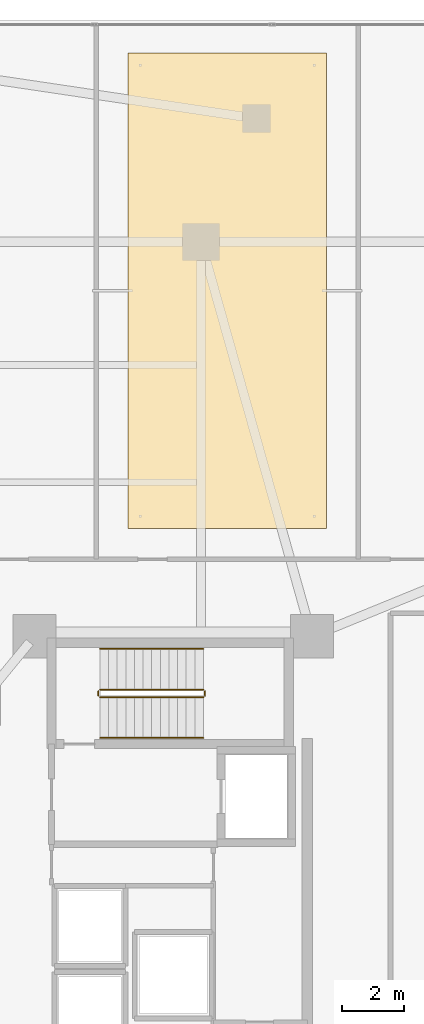
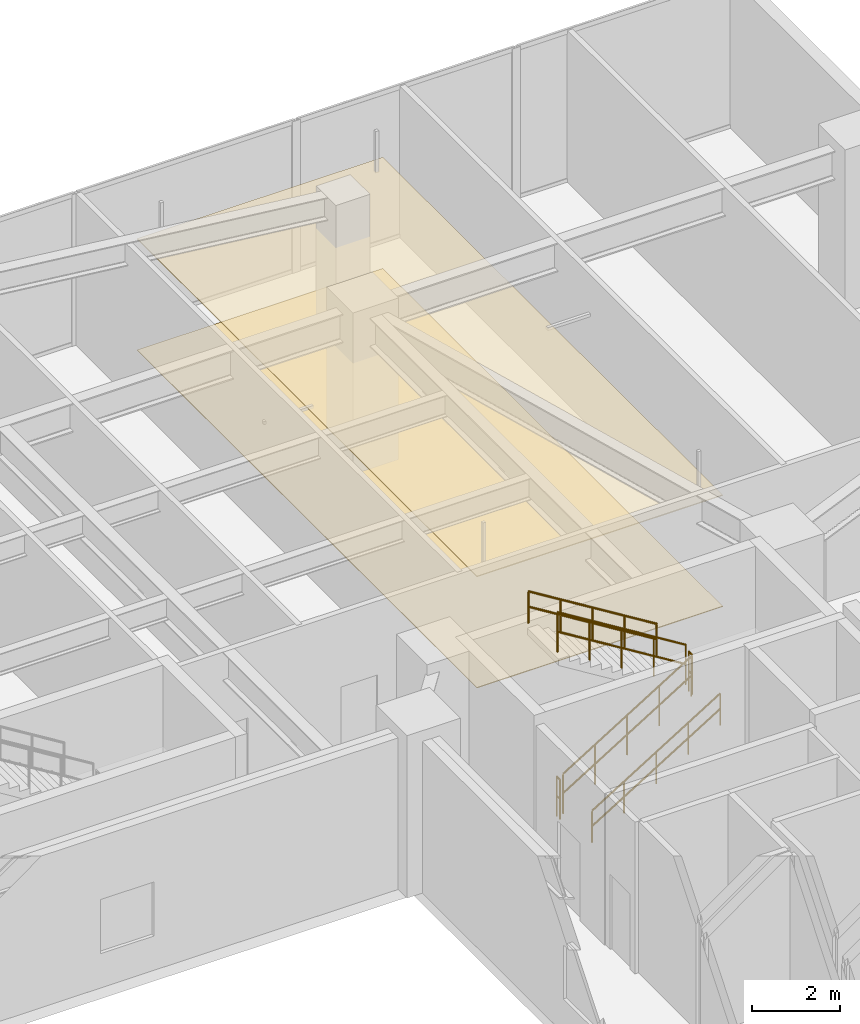
# One storey, part 22 of 22: 6 railings, 2 coverings.
"""IFC4 building model written with IfcOpenShell, lengths in metres."""

from ifc_helpers import new_model, si_unit, direction, frame, origin, origin_2d, place, context, subcontext, project, spatial, polyline, circle, outline, extrude, material, layer, layer_set, type_object, element, save


model = new_model("IFC4")

# Units and contexts
model_context = context("Model", 3, precision=1e-05, world=origin(), true_north=direction((0.0, 1.0)))
body_context = subcontext(model_context, "Body", "Model", "MODEL_VIEW")
ifc_project = project(units=[si_unit("LENGTHUNIT", "METRE"), si_unit("AREAUNIT", "SQUARE_METRE"), si_unit("VOLUMEUNIT", "CUBIC_METRE"), si_unit("PLANEANGLEUNIT", "RADIAN"), si_unit("MASSUNIT", "GRAM", prefix="KILO")], contexts=[model_context])

# Site, building, storey
site_placement = place(None, origin())
site = spatial("IfcSite", under=ifc_project, at=site_placement, CompositionType="ELEMENT")
building_placement = place(site_placement, origin())
building = spatial("IfcBuilding", under=site, at=building_placement, Name="Tarnavaz Court Tower", CompositionType="ELEMENT")
storey_placement = place(building_placement, frame((0.0, 0.0, 14.39990234375)))
storey = spatial("IfcBuildingStorey", under=building, at=storey_placement, Name="L03", CompositionType="ELEMENT", Elevation=14.39990234375)

# Coverings
ifc_material_1 = material(Name="Perforated Gypsum Acoustic Ceiling Tile", Category="masonry")
ifc_layer_1 = layer(ifc_material_1, 0.02490234375)
ifc_layer_set_1 = layer_set([ifc_layer_1], Name="Perforated Gypsum Acoustic Ceiling Tile")
covering_type_1 = type_object("IfcCoveringType", Name="CV-CEIL-AC", PredefinedType="CEILING", material=ifc_layer_set_1)
covering_1_placement = place(storey_placement, frame((0.0, 0.0, 3.080078125)))
element("IfcCovering", 1, at=covering_1_placement, inside=storey, type_object=covering_type_1, Name="L03 L03 Staff Administration Office Suspended Acoustic Ceiling", PredefinedType="CEILING", context=body_context, shape_type="SweptSolid", body=[
    extrude(outline(polyline([(12.6298828125, 13.5), (19.070068359375, 13.5), (19.070068359375, 28.929931640625), (12.6298828125, 28.929931640625), (12.6298828125, 13.5)])), origin(), (0.0, 0.0, 1.0), 0.02490234375),
])
ifc_material_2 = material(Name="Glazed Khorasan Porcelain Floor Tile", Category="masonry")
ifc_layer_2 = layer(ifc_material_2, 0.02001953125)
ifc_layer_set_2 = layer_set([ifc_layer_2], Name="Glazed Khorasan Porcelain Floor Tile")
covering_type_2 = type_object("IfcCoveringType", Name="CV-FLR-PORC", PredefinedType="FLOORING", material=ifc_layer_set_2)
covering_2_placement = place(storey_placement, origin())
element("IfcCovering", 2, at=covering_2_placement, inside=storey, type_object=covering_type_2, Name="L03 L03 Staff Administration Office Porcelain Floor Finish", PredefinedType="FLOORING", context=body_context, shape_type="SweptSolid", body=[
    extrude(outline(polyline([(12.6298828125, 13.5), (19.070068359375, 13.5), (19.070068359375, 28.929931640625), (12.6298828125, 28.929931640625), (12.6298828125, 13.5)])), origin(), (0.0, 0.0, 1.0), 0.02001953125),
])

# Railings
ifc_material_3 = material(Name="Brushed Stainless Steel", Category="steel")
railing_type_1 = type_object("IfcRailingType", Name="RL-HANDRAIL-900", PredefinedType="HANDRAIL", material=ifc_material_3)
railing_1_placement = place(storey_placement, frame((11.719970703125, 6.699951171875, 0.173095703125)))
element("IfcRailing", 3, at=railing_1_placement, inside=storey, type_object=railing_type_1, Name="L03 ST-E1 stair handrail 1", PredefinedType="HANDRAIL", context=body_context, shape_type="SweptSolid", body=[
    extrude(circle(Radius=0.02392578125, at=origin_2d()), frame((0.0, 0.0, 0.8759765625), z_axis=(0.850623216509, 0.0, 0.525775754039), x_axis=(0.0, 1.0, 0.0)), (0.0, 0.0, 1.0), 3.9501953125),
    extrude(circle(Radius=0.02392578125, at=origin_2d()), frame((0.0, 0.0, 0.449951171875), z_axis=(0.850623216509, 0.0, 0.525775754039), x_axis=(0.0, 1.0, 0.0)), (0.0, 0.0, 1.0), 3.9501953125),
    extrude(circle(Radius=0.02099609375, at=origin_2d()), origin(), (0.0, 0.0, 1.0), 0.851806640625),
    extrude(circle(Radius=0.02099609375, at=origin_2d()), frame((0.840087890625, 0.0, 0.519287109375)), (0.0, 0.0, 1.0), 0.851806640625),
    extrude(circle(Radius=0.02099609375, at=origin_2d()), frame((1.68017578125, 0.0, 1.03857421875)), (0.0, 0.0, 1.0), 0.851806640625),
    extrude(circle(Radius=0.02099609375, at=origin_2d()), frame((2.52001953125, 0.0, 1.5576171875)), (0.0, 0.0, 1.0), 0.851806640625),
    extrude(circle(Radius=0.02099609375, at=origin_2d()), frame((3.360107421875, 0.0, 2.076904296875)), (0.0, 0.0, 1.0), 0.851806640625),
])
railing_2_placement = place(storey_placement, frame((15.080078125, 9.590087890625, 2.423095703125)))
element("IfcRailing", 4, at=railing_2_placement, inside=storey, type_object=railing_type_1, Name="L03 ST-E1 stair handrail 2", PredefinedType="HANDRAIL", context=body_context, shape_type="SweptSolid", body=[
    extrude(circle(Radius=0.02392578125, at=origin_2d()), frame((0.0, 0.0, 0.8759765625), z_axis=(-0.850623216509, 0.0, 0.525775754039), x_axis=(0.0, -1.0, 0.0)), (0.0, 0.0, 1.0), 3.9501953125),
    extrude(circle(Radius=0.02392578125, at=origin_2d()), frame((0.0, 0.0, 0.449951171875), z_axis=(-0.850623216509, 0.0, 0.525775754039), x_axis=(0.0, -1.0, 0.0)), (0.0, 0.0, 1.0), 3.9501953125),
    extrude(circle(Radius=0.02099609375, at=origin_2d()), origin(), (0.0, 0.0, 1.0), 0.851806640625),
    extrude(circle(Radius=0.02099609375, at=origin_2d()), frame((-0.840087890625, 0.0, 0.519287109375)), (0.0, 0.0, 1.0), 0.851806640625),
    extrude(circle(Radius=0.02099609375, at=origin_2d()), frame((-1.68017578125, 0.0, 1.03857421875)), (0.0, 0.0, 1.0), 0.851806640625),
    extrude(circle(Radius=0.02099609375, at=origin_2d()), frame((-2.52001953125, 0.0, 1.5576171875)), (0.0, 0.0, 1.0), 0.851806640625),
    extrude(circle(Radius=0.02099609375, at=origin_2d()), frame((-3.360107421875, 0.0, 2.076904296875)), (0.0, 0.0, 1.0), 0.851806640625),
])
ifc_material_4 = material(Name="Galvanized Painted Tubular Steel", Category="steel")
railing_type_2 = type_object("IfcRailingType", Name="RL-STGUARD-1120", PredefinedType="GUARDRAIL", material=ifc_material_4)
railing_3_placement = place(storey_placement, frame((11.719970703125, 8.02001953125, 0.173095703125)))
element("IfcRailing", 5, at=railing_3_placement, inside=storey, type_object=railing_type_2, Name="L03 ST-E1 stair guard 1", PredefinedType="GUARDRAIL", context=body_context, shape_type="SweptSolid", body=[
    extrude(circle(Radius=0.02392578125, at=origin_2d()), frame((0.0, 0.0, 1.09619140625), z_axis=(0.850623216509, 0.0, 0.525775754039), x_axis=(0.0, 1.0, 0.0)), (0.0, 0.0, 1.0), 3.9501953125),
    extrude(circle(Radius=0.02392578125, at=origin_2d()), frame((0.0, 0.0, 0.56005859375), z_axis=(0.850623216509, 0.0, 0.525775754039), x_axis=(0.0, 1.0, 0.0)), (0.0, 0.0, 1.0), 3.9501953125),
    extrude(circle(Radius=0.02099609375, at=origin_2d()), origin(), (0.0, 0.0, 1.0), 1.072021484375),
    extrude(circle(Radius=0.02099609375, at=origin_2d()), frame((0.840087890625, 0.0, 0.519287109375)), (0.0, 0.0, 1.0), 1.072021484375),
    extrude(circle(Radius=0.02099609375, at=origin_2d()), frame((1.68017578125, 0.0, 1.03857421875)), (0.0, 0.0, 1.0), 1.072021484375),
    extrude(circle(Radius=0.02099609375, at=origin_2d()), frame((2.52001953125, 0.0, 1.5576171875)), (0.0, 0.0, 1.0), 1.072021484375),
    extrude(circle(Radius=0.02099609375, at=origin_2d()), frame((3.360107421875, 0.0, 2.076904296875)), (0.0, 0.0, 1.0), 1.072021484375),
])
railing_4_placement = place(storey_placement, frame((15.1298828125, 8.070068359375, 2.25)))
element("IfcRailing", 6, at=railing_4_placement, inside=storey, type_object=railing_type_2, Name="L03 ST-E1 stair guard 2", PredefinedType="GUARDRAIL", context=body_context, shape_type="SweptSolid", body=[
    extrude(circle(Radius=0.02392578125, at=origin_2d()), frame((0.0, 0.0, 1.09619140625), z_axis=(0.0, 1.0, 0.0), x_axis=(-1.0, 0.0, 0.0)), (0.0, 0.0, 1.0), 0.14990234375),
    extrude(circle(Radius=0.02392578125, at=origin_2d()), frame((0.0, 0.0, 0.56005859375), z_axis=(0.0, 1.0, 0.0), x_axis=(-1.0, 0.0, 0.0)), (0.0, 0.0, 1.0), 0.14990234375),
    extrude(circle(Radius=0.02099609375, at=origin_2d()), origin(), (0.0, 0.0, 1.0), 1.072021484375),
    extrude(circle(Radius=0.02099609375, at=origin_2d()), frame((0.0, 0.14990234375, 0.0)), (0.0, 0.0, 1.0), 1.072021484375),
])
railing_5_placement = place(storey_placement, frame((15.080078125, 8.27001953125, 2.423095703125)))
element("IfcRailing", 7, at=railing_5_placement, inside=storey, type_object=railing_type_2, Name="L03 ST-E1 stair guard 3", PredefinedType="GUARDRAIL", context=body_context, shape_type="SweptSolid", body=[
    extrude(circle(Radius=0.02392578125, at=origin_2d()), frame((0.0, 0.0, 1.09619140625), z_axis=(-0.850623216509, 0.0, 0.525775754039), x_axis=(0.0, -1.0, 0.0)), (0.0, 0.0, 1.0), 3.9501953125),
    extrude(circle(Radius=0.02392578125, at=origin_2d()), frame((0.0, 0.0, 0.56005859375), z_axis=(-0.850623216509, 0.0, 0.525775754039), x_axis=(0.0, -1.0, 0.0)), (0.0, 0.0, 1.0), 3.9501953125),
    extrude(circle(Radius=0.02099609375, at=origin_2d()), origin(), (0.0, 0.0, 1.0), 1.072021484375),
    extrude(circle(Radius=0.02099609375, at=origin_2d()), frame((-0.840087890625, 0.0, 0.519287109375)), (0.0, 0.0, 1.0), 1.072021484375),
    extrude(circle(Radius=0.02099609375, at=origin_2d()), frame((-1.68017578125, 0.0, 1.03857421875)), (0.0, 0.0, 1.0), 1.072021484375),
    extrude(circle(Radius=0.02099609375, at=origin_2d()), frame((-2.52001953125, 0.0, 1.5576171875)), (0.0, 0.0, 1.0), 1.072021484375),
    extrude(circle(Radius=0.02099609375, at=origin_2d()), frame((-3.360107421875, 0.0, 2.076904296875)), (0.0, 0.0, 1.0), 1.072021484375),
])
railing_6_placement = place(storey_placement, frame((11.669921875, 8.070068359375, 0.0)))
element("IfcRailing", 8, at=railing_6_placement, inside=storey, type_object=railing_type_2, Name="L03 ST-E1 stair guard 4", PredefinedType="GUARDRAIL", context=body_context, shape_type="SweptSolid", body=[
    extrude(circle(Radius=0.02392578125, at=origin_2d()), frame((0.0, 0.0, 1.09619140625), z_axis=(0.0, 1.0, 0.0), x_axis=(-1.0, 0.0, 0.0)), (0.0, 0.0, 1.0), 0.14990234375),
    extrude(circle(Radius=0.02392578125, at=origin_2d()), frame((0.0, 0.0, 0.56005859375), z_axis=(0.0, 1.0, 0.0), x_axis=(-1.0, 0.0, 0.0)), (0.0, 0.0, 1.0), 0.14990234375),
    extrude(circle(Radius=0.02099609375, at=origin_2d()), origin(), (0.0, 0.0, 1.0), 1.072021484375),
    extrude(circle(Radius=0.02099609375, at=origin_2d()), frame((0.0, 0.14990234375, 0.0)), (0.0, 0.0, 1.0), 1.072021484375),
])

save(model, "model.ifc")
